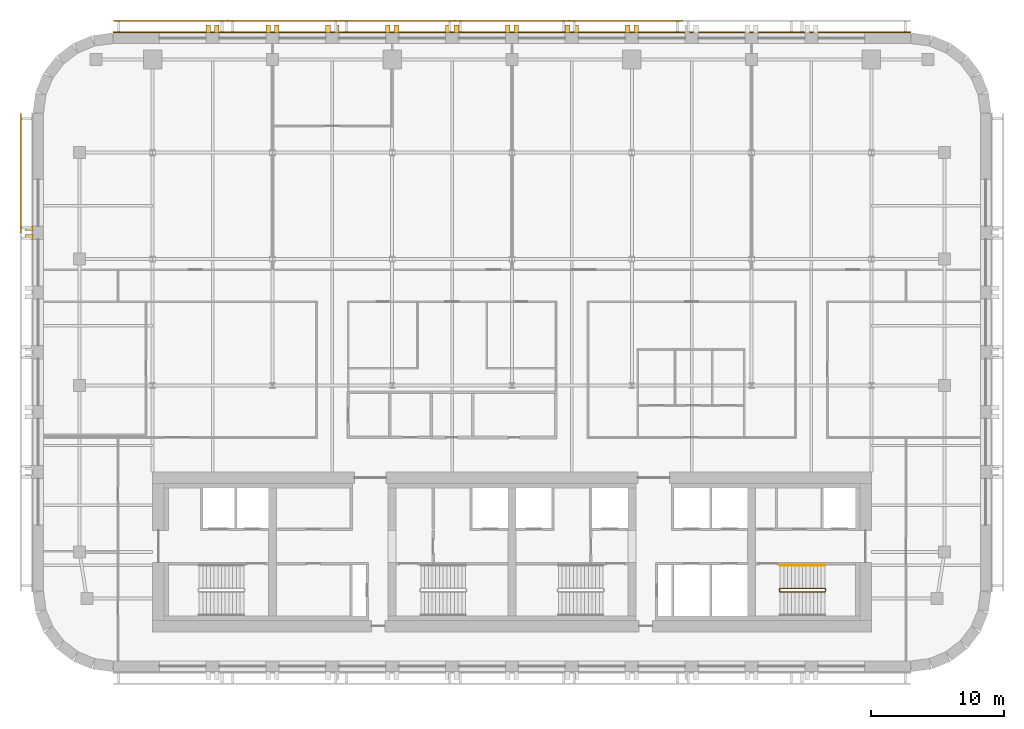
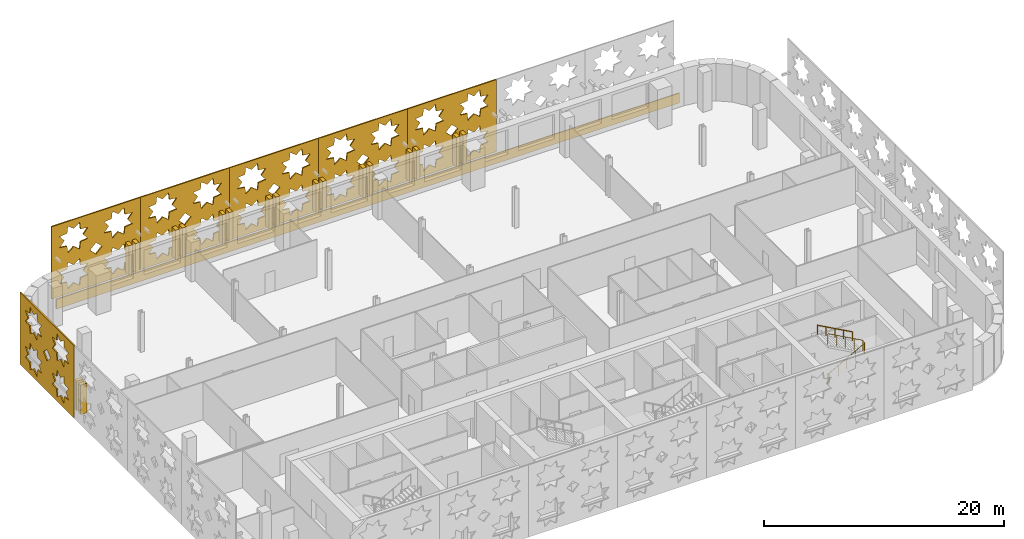
# One storey, part 11 of 12: 25 coverings, 2 railings.
"""IFC4 building model written with IfcOpenShell, lengths in metres."""

from ifc_helpers import new_model, si_unit, direction, frame, origin, origin_2d, place, context, subcontext, project, spatial, polyline, circle, outline, extrude, material, layer, layer_set, type_object, element, save


model = new_model("IFC4")

# Units and contexts
model_context = context("Model", 3, precision=1e-05, world=origin(), true_north=direction((0.0, 1.0)))
body_context = subcontext(model_context, "Body", "Model", "MODEL_VIEW")
ifc_project = project(units=[si_unit("LENGTHUNIT", "METRE"), si_unit("AREAUNIT", "SQUARE_METRE"), si_unit("VOLUMEUNIT", "CUBIC_METRE"), si_unit("PLANEANGLEUNIT", "RADIAN"), si_unit("MASSUNIT", "GRAM", prefix="KILO")], contexts=[model_context])

# Site, building, storey
site_placement = place(None, origin())
site = spatial("IfcSite", under=ifc_project, at=site_placement, CompositionType="ELEMENT")
building_placement = place(site_placement, origin())
building = spatial("IfcBuilding", under=site, at=building_placement, Name="Zellij Exchange Tower", CompositionType="ELEMENT")
storey_placement = place(building_placement, frame((0.0, 0.0, 204.5)))
storey = spatial("IfcBuildingStorey", under=building, at=storey_placement, Name="L47", CompositionType="ELEMENT", Elevation=204.5)

# Railings
ifc_material_1 = material(Name="Stainless steel", Category="steel")
railing_type_1 = type_object("IfcRailingType", Name="CORE-RG stair guard", PredefinedType="GUARDRAIL", material=ifc_material_1)
railing_1_placement = place(storey_placement, frame((20.10009765625, -10.949951171875, 0.0)))
element("IfcRailing", 1, at=railing_1_placement, inside=storey, type_object=railing_type_1, Name="ST4 stair guard L47", PredefinedType="GUARDRAIL", context=body_context, shape_type="SweptSolid", body=[
    extrude(circle(Radius=0.02392578125, at=origin_2d()), frame((0.0, 0.0, 1.076171875), z_axis=(0.0, 1.0, 0.0), x_axis=(-1.0, 0.0, 0.0)), (0.0, 0.0, 1.0), 0.14990234375),
    extrude(circle(Radius=0.02392578125, at=origin_2d()), frame((0.0, 0.14990234375, 1.076171875), z_axis=(0.193691321961, -0.777613689637, 0.598164376644), x_axis=(0.970351222016, 0.241699205484, 0.0)), (0.0, 0.0, 1.0), 0.257080078125),
    extrude(circle(Radius=0.02392578125, at=origin_2d()), frame((0.0498046875, -0.050048828125, 1.22998046875), z_axis=(0.876421534553, 0.0, 0.481544695509), x_axis=(0.0, 1.0, 0.0)), (0.0, 0.0, 1.0), 3.833984375),
    extrude(circle(Radius=0.02392578125, at=origin_2d()), frame((3.409912109375, -0.050048828125, 3.076171875), z_axis=(0.707106781187, 0.707106781187, 0.0), x_axis=(-0.707106781187, 0.707106781187, 0.0)), (0.0, 0.0, 1.0), 0.07080078125),
    extrude(circle(Radius=0.02392578125, at=origin_2d()), frame((3.4599609375, 0.0, 3.076171875), z_axis=(0.0, 1.0, 0.0), x_axis=(-1.0, 0.0, 0.0)), (0.0, 0.0, 1.0), 0.14990234375),
    extrude(circle(Radius=0.02392578125, at=origin_2d()), frame((3.4599609375, 0.14990234375, 3.076171875), z_axis=(-0.295599637079, 0.295599637079, 0.908428152975), x_axis=(-0.707106781187, -0.707106781187, 0.0)), (0.0, 0.0, 1.0), 0.16943359375),
    extrude(circle(Radius=0.02392578125, at=origin_2d()), frame((3.409912109375, 0.199951171875, 3.22998046875), z_axis=(-0.876421534553, 0.0, 0.481544695509), x_axis=(0.0, -1.0, 0.0)), (0.0, 0.0, 1.0), 3.833984375),
    extrude(circle(Radius=0.02099609375, at=origin_2d()), origin(), (0.0, 0.0, 1.0), 1.052001953125),
    extrude(circle(Radius=0.02099609375, at=origin_2d()), frame((0.0, 0.14990234375, 0.0)), (0.0, 0.0, 1.0), 1.052001953125),
    extrude(circle(Radius=0.02099609375, at=origin_2d()), frame((0.0498046875, -0.050048828125, 0.15380859375)), (0.0, 0.0, 1.0), 1.052001953125),
    extrude(circle(Radius=0.02099609375, at=origin_2d()), frame((0.889892578125, -0.050048828125, 0.615234375)), (0.0, 0.0, 1.0), 1.052001953125),
    extrude(circle(Radius=0.02099609375, at=origin_2d()), frame((1.72998046875, -0.050048828125, 1.076904296875)), (0.0, 0.0, 1.0), 1.052001953125),
    extrude(circle(Radius=0.02099609375, at=origin_2d()), frame((2.56982421875, -0.050048828125, 1.53857421875)), (0.0, 0.0, 1.0), 1.052001953125),
    extrude(circle(Radius=0.02099609375, at=origin_2d()), frame((3.409912109375, -0.050048828125, 2.0)), (0.0, 0.0, 1.0), 1.052001953125),
    extrude(circle(Radius=0.02099609375, at=origin_2d()), frame((3.4599609375, 0.0, 2.0)), (0.0, 0.0, 1.0), 1.052001953125),
    extrude(circle(Radius=0.02099609375, at=origin_2d()), frame((3.4599609375, 0.14990234375, 2.0)), (0.0, 0.0, 1.0), 1.052001953125),
    extrude(circle(Radius=0.02099609375, at=origin_2d()), frame((3.409912109375, 0.199951171875, 2.15380859375)), (0.0, 0.0, 1.0), 1.052001953125),
    extrude(circle(Radius=0.02099609375, at=origin_2d()), frame((2.56982421875, 0.199951171875, 2.615234375)), (0.0, 0.0, 1.0), 1.052001953125),
    extrude(circle(Radius=0.02099609375, at=origin_2d()), frame((1.72998046875, 0.199951171875, 3.076904296875)), (0.0, 0.0, 1.0), 1.052001953125),
    extrude(circle(Radius=0.02099609375, at=origin_2d()), frame((0.889892578125, 0.199951171875, 3.53857421875)), (0.0, 0.0, 1.0), 1.052001953125),
    extrude(circle(Radius=0.02099609375, at=origin_2d()), frame((0.0498046875, 0.199951171875, 4.0)), (0.0, 0.0, 1.0), 1.052001953125),
])
railing_type_2 = type_object("IfcRailingType", Name="CORE-RH stair handrail", PredefinedType="HANDRAIL", material=ifc_material_1)
railing_2_placement = place(storey_placement, frame((23.510009765625, -9.0, 2.15380859375)))
element("IfcRailing", 2, at=railing_2_placement, inside=storey, type_object=railing_type_2, Name="ST4 stair handrail L47", PredefinedType="HANDRAIL", context=body_context, shape_type="SweptSolid", body=[
    extrude(circle(Radius=0.02392578125, at=origin_2d()), frame((0.0, 0.0, 0.8759765625), z_axis=(-0.876421534553, 0.0, 0.481544695509), x_axis=(0.0, -1.0, 0.0)), (0.0, 0.0, 1.0), 3.833984375),
    extrude(circle(Radius=0.02099609375, at=origin_2d()), origin(), (0.0, 0.0, 1.0), 0.851806640625),
    extrude(circle(Radius=0.02099609375, at=origin_2d()), frame((-0.840087890625, 0.0, 0.46142578125)), (0.0, 0.0, 1.0), 0.851806640625),
    extrude(circle(Radius=0.02099609375, at=origin_2d()), frame((-1.68017578125, 0.0, 0.923095703125)), (0.0, 0.0, 1.0), 0.851806640625),
    extrude(circle(Radius=0.02099609375, at=origin_2d()), frame((-2.52001953125, 0.0, 1.384765625)), (0.0, 0.0, 1.0), 0.851806640625),
    extrude(circle(Radius=0.02099609375, at=origin_2d()), frame((-3.360107421875, 0.0, 1.84619140625)), (0.0, 0.0, 1.0), 0.851806640625),
])

# Coverings
ifc_material_2 = material(Name="Limestone cladding", Category="masonry")
covering_type_1 = type_object("IfcCoveringType", Name="ENV-CV3 Stone pier 350x600", PredefinedType="CLADDING", material=ifc_material_2)
covering_1_placement = place(storey_placement, frame((0.0, 0.0, 0.800048828125)))
element("IfcCovering", 3, at=covering_1_placement, inside=storey, type_object=covering_type_1, Name="Stone pier", PredefinedType="CLADDING", context=body_context, shape_type="SweptSolid", body=[
    extrude(outline(polyline([(9.5, 31.0), (9.14990234375, 31.0), (9.14990234375, 31.60009765625), (9.5, 31.60009765625), (9.5, 31.0)])), origin(), (0.0, 0.0, 1.0), 3.0),
])
covering_2_placement = place(storey_placement, frame((0.0, 0.0, 0.800048828125)))
element("IfcCovering", 4, at=covering_2_placement, inside=storey, type_object=covering_type_1, Name="Stone pier", PredefinedType="CLADDING", context=body_context, shape_type="SweptSolid", body=[
    extrude(outline(polyline([(8.85009765625, 31.0), (8.5, 31.0), (8.5, 31.60009765625), (8.85009765625, 31.60009765625), (8.85009765625, 31.0)])), origin(), (0.0, 0.0, 1.0), 3.0),
])
covering_3_placement = place(storey_placement, frame((0.0, 0.0, 0.800048828125)))
element("IfcCovering", 5, at=covering_3_placement, inside=storey, type_object=covering_type_1, Name="Stone pier", PredefinedType="CLADDING", context=body_context, shape_type="SweptSolid", body=[
    extrude(outline(polyline([(5.0, 31.0), (4.64990234375, 31.0), (4.64990234375, 31.60009765625), (5.0, 31.60009765625), (5.0, 31.0)])), origin(), (0.0, 0.0, 1.0), 3.0),
])
covering_4_placement = place(storey_placement, frame((0.0, 0.0, 0.800048828125)))
element("IfcCovering", 6, at=covering_4_placement, inside=storey, type_object=covering_type_1, Name="Stone pier", PredefinedType="CLADDING", context=body_context, shape_type="SweptSolid", body=[
    extrude(outline(polyline([(4.35009765625, 31.0), (4.0, 31.0), (4.0, 31.60009765625), (4.35009765625, 31.60009765625), (4.35009765625, 31.0)])), origin(), (0.0, 0.0, 1.0), 3.0),
])
covering_5_placement = place(storey_placement, frame((0.0, 0.0, 0.800048828125)))
element("IfcCovering", 7, at=covering_5_placement, inside=storey, type_object=covering_type_1, Name="Stone pier", PredefinedType="CLADDING", context=body_context, shape_type="SweptSolid", body=[
    extrude(outline(polyline([(0.5, 31.0), (0.14990234375, 31.0), (0.14990234375, 31.60009765625), (0.5, 31.60009765625), (0.5, 31.0)])), origin(), (0.0, 0.0, 1.0), 3.0),
])
covering_6_placement = place(storey_placement, frame((0.0, 0.0, 0.800048828125)))
element("IfcCovering", 8, at=covering_6_placement, inside=storey, type_object=covering_type_1, Name="Stone pier", PredefinedType="CLADDING", context=body_context, shape_type="SweptSolid", body=[
    extrude(outline(polyline([(-0.14990234375, 31.0), (-0.5, 31.0), (-0.5, 31.60009765625), (-0.14990234375, 31.60009765625), (-0.14990234375, 31.0)])), origin(), (0.0, 0.0, 1.0), 3.0),
])
covering_7_placement = place(storey_placement, frame((0.0, 0.0, 0.800048828125)))
element("IfcCovering", 9, at=covering_7_placement, inside=storey, type_object=covering_type_1, Name="Stone pier", PredefinedType="CLADDING", context=body_context, shape_type="SweptSolid", body=[
    extrude(outline(polyline([(-4.0, 31.0), (-4.35009765625, 31.0), (-4.35009765625, 31.60009765625), (-4.0, 31.60009765625), (-4.0, 31.0)])), origin(), (0.0, 0.0, 1.0), 3.0),
])
covering_8_placement = place(storey_placement, frame((0.0, 0.0, 0.800048828125)))
element("IfcCovering", 10, at=covering_8_placement, inside=storey, type_object=covering_type_1, Name="Stone pier", PredefinedType="CLADDING", context=body_context, shape_type="SweptSolid", body=[
    extrude(outline(polyline([(-4.64990234375, 31.0), (-5.0, 31.0), (-5.0, 31.60009765625), (-4.64990234375, 31.60009765625), (-4.64990234375, 31.0)])), origin(), (0.0, 0.0, 1.0), 3.0),
])
covering_9_placement = place(storey_placement, frame((0.0, 0.0, 0.800048828125)))
element("IfcCovering", 11, at=covering_9_placement, inside=storey, type_object=covering_type_1, Name="Stone pier", PredefinedType="CLADDING", context=body_context, shape_type="SweptSolid", body=[
    extrude(outline(polyline([(-8.5, 31.0), (-8.85009765625, 31.0), (-8.85009765625, 31.60009765625), (-8.5, 31.60009765625), (-8.5, 31.0)])), origin(), (0.0, 0.0, 1.0), 3.0),
])
covering_10_placement = place(storey_placement, frame((0.0, 0.0, 0.800048828125)))
element("IfcCovering", 12, at=covering_10_placement, inside=storey, type_object=covering_type_1, Name="Stone pier", PredefinedType="CLADDING", context=body_context, shape_type="SweptSolid", body=[
    extrude(outline(polyline([(-9.14990234375, 31.0), (-9.5, 31.0), (-9.5, 31.60009765625), (-9.14990234375, 31.60009765625), (-9.14990234375, 31.0)])), origin(), (0.0, 0.0, 1.0), 3.0),
])
covering_11_placement = place(storey_placement, frame((0.0, 0.0, 0.800048828125)))
element("IfcCovering", 13, at=covering_11_placement, inside=storey, type_object=covering_type_1, Name="Stone pier", PredefinedType="CLADDING", context=body_context, shape_type="SweptSolid", body=[
    extrude(outline(polyline([(-13.0, 31.0), (-13.35009765625, 31.0), (-13.35009765625, 31.60009765625), (-13.0, 31.60009765625), (-13.0, 31.0)])), origin(), (0.0, 0.0, 1.0), 3.0),
])
covering_12_placement = place(storey_placement, frame((0.0, 0.0, 0.800048828125)))
element("IfcCovering", 14, at=covering_12_placement, inside=storey, type_object=covering_type_1, Name="Stone pier", PredefinedType="CLADDING", context=body_context, shape_type="SweptSolid", body=[
    extrude(outline(polyline([(-13.64990234375, 31.0), (-14.0, 31.0), (-14.0, 31.60009765625), (-13.64990234375, 31.60009765625), (-13.64990234375, 31.0)])), origin(), (0.0, 0.0, 1.0), 3.0),
])
covering_13_placement = place(storey_placement, frame((0.0, 0.0, 0.800048828125)))
element("IfcCovering", 15, at=covering_13_placement, inside=storey, type_object=covering_type_1, Name="Stone pier", PredefinedType="CLADDING", context=body_context, shape_type="SweptSolid", body=[
    extrude(outline(polyline([(-17.5, 31.0), (-17.85009765625, 31.0), (-17.85009765625, 31.60009765625), (-17.5, 31.60009765625), (-17.5, 31.0)])), origin(), (0.0, 0.0, 1.0), 3.0),
])
covering_14_placement = place(storey_placement, frame((0.0, 0.0, 0.800048828125)))
element("IfcCovering", 16, at=covering_14_placement, inside=storey, type_object=covering_type_1, Name="Stone pier", PredefinedType="CLADDING", context=body_context, shape_type="SweptSolid", body=[
    extrude(outline(polyline([(-18.14990234375, 31.0), (-18.5, 31.0), (-18.5, 31.60009765625), (-18.14990234375, 31.60009765625), (-18.14990234375, 31.0)])), origin(), (0.0, 0.0, 1.0), 3.0),
])
covering_15_placement = place(storey_placement, frame((0.0, 0.0, 0.800048828125)))
element("IfcCovering", 17, at=covering_15_placement, inside=storey, type_object=covering_type_1, Name="Stone pier", PredefinedType="CLADDING", context=body_context, shape_type="SweptSolid", body=[
    extrude(outline(polyline([(-22.0, 31.0), (-22.35009765625, 31.0), (-22.35009765625, 31.60009765625), (-22.0, 31.60009765625), (-22.0, 31.0)])), origin(), (0.0, 0.0, 1.0), 3.0),
])
covering_16_placement = place(storey_placement, frame((0.0, 0.0, 0.800048828125)))
element("IfcCovering", 18, at=covering_16_placement, inside=storey, type_object=covering_type_1, Name="Stone pier", PredefinedType="CLADDING", context=body_context, shape_type="SweptSolid", body=[
    extrude(outline(polyline([(-22.64990234375, 31.0), (-23.0, 31.0), (-23.0, 31.60009765625), (-22.64990234375, 31.60009765625), (-22.64990234375, 31.0)])), origin(), (0.0, 0.0, 1.0), 3.0),
])
covering_17_placement = place(storey_placement, frame((0.0, 0.0, 0.800048828125)))
element("IfcCovering", 19, at=covering_17_placement, inside=storey, type_object=covering_type_1, Name="Stone pier", PredefinedType="CLADDING", context=body_context, shape_type="SweptSolid", body=[
    extrude(outline(polyline([(-36.0, 16.48681640625), (-36.0, 16.136962890625), (-36.60009765625, 16.136962890625), (-36.60009765625, 16.48681640625), (-36.0, 16.48681640625)])), origin(), (0.0, 0.0, 1.0), 3.0),
])
covering_18_placement = place(storey_placement, frame((0.0, 0.0, 0.800048828125)))
element("IfcCovering", 20, at=covering_18_placement, inside=storey, type_object=covering_type_1, Name="Stone pier", PredefinedType="CLADDING", context=body_context, shape_type="SweptSolid", body=[
    extrude(outline(polyline([(-36.0, 15.8369140625), (-36.0, 15.48681640625), (-36.60009765625, 15.48681640625), (-36.60009765625, 15.8369140625), (-36.0, 15.8369140625)])), origin(), (0.0, 0.0, 1.0), 3.0),
])
ifc_layer_1 = layer(ifc_material_2, 0.10009765625)
ifc_layer_set_1 = layer_set([ifc_layer_1], Name="Limestone cladding")
covering_type_2 = type_object("IfcCoveringType", Name="ENV-CV9 Stone spandrel band 100", PredefinedType="CLADDING", material=ifc_layer_set_1)
covering_19_placement = place(storey_placement, frame((0.0, 0.0, -0.199951171875)))
element("IfcCovering", 21, at=covering_19_placement, inside=storey, type_object=covering_type_2, Name="Stone spandrel band", PredefinedType="CLADDING", context=body_context, shape_type="SweptSolid", body=[
    extrude(outline(polyline([(29.973876953125, 31.0), (-29.973876953125, 31.0), (-29.980224609375, 31.10009765625), (29.980224609375, 31.10009765625), (29.973876953125, 31.0)])), origin(), (0.0, 0.0, 1.0), 1.0),
])
ifc_material_3 = material(Name="Limestone screen", Category="masonry")
ifc_layer_2 = layer(ifc_material_3, 0.1201171875)
ifc_layer_set_2 = layer_set([ifc_layer_2], Name="Limestone screen")
covering_type_3 = type_object("IfcCoveringType", Name="ENV-SC1 Pierced stone screen 120", PredefinedType="USERDEFINED", material=ifc_layer_set_2)
covering_20_placement = place(storey_placement, frame((-36.909912109375, 24.947509765625, 0.300048828125), z_axis=(0.0, 0.0, 1.0), x_axis=(0.0, -1.0, 0.0)))
element("IfcCovering", 22, at=covering_20_placement, inside=storey, type_object=covering_type_3, Name="Pierced stone screen", ObjectType="SCREEN", PredefinedType="USERDEFINED", context=body_context, shape_type="SweptSolid", body=[
    extrude(outline(polyline([(0.0, 0.0), (8.973876953125, 0.0), (8.973876953125, 7.35009765625), (0.0, 7.35009765625), (0.0, 0.0)]), holes=[polyline([(3.6015625, 2.39990234375), (2.887939453125, 2.48193359375), (2.805908203125, 3.195556640625), (2.243408203125, 2.748779296875), (1.680908203125, 3.195556640625), (1.59912109375, 2.48193359375), (0.88525390625, 2.39990234375), (1.33203125, 1.83740234375), (0.88525390625, 1.27490234375), (1.59912109375, 1.193115234375), (1.680908203125, 0.4794921875), (2.243408203125, 0.926025390625), (2.805908203125, 0.4794921875), (2.887939453125, 1.193115234375), (3.6015625, 1.27490234375), (3.15478515625, 1.83740234375), (3.6015625, 2.39990234375)]), polyline([(3.6015625, 6.074951171875), (2.887939453125, 6.156982421875), (2.805908203125, 6.87060546875), (2.243408203125, 6.423828125), (1.680908203125, 6.87060546875), (1.59912109375, 6.156982421875), (0.88525390625, 6.074951171875), (1.33203125, 5.512451171875), (0.88525390625, 4.949951171875), (1.59912109375, 4.867919921875), (1.680908203125, 4.154296875), (2.243408203125, 4.60107421875), (2.805908203125, 4.154296875), (2.887939453125, 4.867919921875), (3.6015625, 4.949951171875), (3.15478515625, 5.512451171875), (3.6015625, 6.074951171875)]), polyline([(8.08837890625, 2.39990234375), (7.374755859375, 2.48193359375), (7.29296875, 3.195556640625), (6.730224609375, 2.748779296875), (6.167724609375, 3.195556640625), (6.0859375, 2.48193359375), (5.372314453125, 2.39990234375), (5.81884765625, 1.83740234375), (5.372314453125, 1.27490234375), (6.0859375, 1.193115234375), (6.167724609375, 0.4794921875), (6.730224609375, 0.926025390625), (7.29296875, 0.4794921875), (7.374755859375, 1.193115234375), (8.08837890625, 1.27490234375), (7.6416015625, 1.83740234375), (8.08837890625, 2.39990234375)]), polyline([(8.08837890625, 6.074951171875), (7.374755859375, 6.156982421875), (7.29296875, 6.87060546875), (6.730224609375, 6.423828125), (6.167724609375, 6.87060546875), (6.0859375, 6.156982421875), (5.372314453125, 6.074951171875), (5.81884765625, 5.512451171875), (5.372314453125, 4.949951171875), (6.0859375, 4.867919921875), (6.167724609375, 4.154296875), (6.730224609375, 4.60107421875), (7.29296875, 4.154296875), (7.374755859375, 4.867919921875), (8.08837890625, 4.949951171875), (7.6416015625, 5.512451171875), (8.08837890625, 6.074951171875)]), polyline([(5.074951171875, 3.675048828125), (4.48681640625, 4.262939453125), (3.89892578125, 3.675048828125), (4.48681640625, 3.0869140625), (5.074951171875, 3.675048828125)])]), frame((0.0, 0.06005859375, 0.0), z_axis=(0.0, -1.0, 0.0), x_axis=(1.0, 0.0, 0.0)), (0.0, 0.0, 1.0), 0.1201171875),
])
covering_21_placement = place(storey_placement, frame((12.834716796875, 31.909912109375, 0.300048828125), z_axis=(0.0, 0.0, 1.0), x_axis=(-1.0, 0.0, 0.0)))
element("IfcCovering", 23, at=covering_21_placement, inside=storey, type_object=covering_type_3, Name="Pierced stone screen", ObjectType="SCREEN", PredefinedType="USERDEFINED", context=body_context, shape_type="SweptSolid", body=[
    extrude(outline(polyline([(0.0, 0.0), (8.556396484375, 0.0), (8.556396484375, 7.35009765625), (0.0, 7.35009765625), (0.0, 0.0)]), holes=[polyline([(3.497314453125, 2.39990234375), (2.78369140625, 2.48193359375), (2.70166015625, 3.195556640625), (2.13916015625, 2.748779296875), (1.57666015625, 3.195556640625), (1.49462890625, 2.48193359375), (0.781005859375, 2.39990234375), (1.227783203125, 1.83740234375), (0.781005859375, 1.27490234375), (1.49462890625, 1.193115234375), (1.57666015625, 0.4794921875), (2.13916015625, 0.926025390625), (2.70166015625, 0.4794921875), (2.78369140625, 1.193115234375), (3.497314453125, 1.27490234375), (3.050537109375, 1.83740234375), (3.497314453125, 2.39990234375)]), polyline([(3.497314453125, 6.074951171875), (2.78369140625, 6.156982421875), (2.70166015625, 6.87060546875), (2.13916015625, 6.423828125), (1.57666015625, 6.87060546875), (1.49462890625, 6.156982421875), (0.781005859375, 6.074951171875), (1.227783203125, 5.512451171875), (0.781005859375, 4.949951171875), (1.49462890625, 4.867919921875), (1.57666015625, 4.154296875), (2.13916015625, 4.60107421875), (2.70166015625, 4.154296875), (2.78369140625, 4.867919921875), (3.497314453125, 4.949951171875), (3.050537109375, 5.512451171875), (3.497314453125, 6.074951171875)]), polyline([(7.775390625, 2.39990234375), (7.061767578125, 2.48193359375), (6.97998046875, 3.195556640625), (6.417236328125, 2.748779296875), (5.854736328125, 3.195556640625), (5.77294921875, 2.48193359375), (5.05908203125, 2.39990234375), (5.505859375, 1.83740234375), (5.05908203125, 1.27490234375), (5.77294921875, 1.193115234375), (5.854736328125, 0.4794921875), (6.417236328125, 0.926025390625), (6.97998046875, 0.4794921875), (7.061767578125, 1.193115234375), (7.775390625, 1.27490234375), (7.32861328125, 1.83740234375), (7.775390625, 2.39990234375)]), polyline([(7.775390625, 6.074951171875), (7.061767578125, 6.156982421875), (6.97998046875, 6.87060546875), (6.417236328125, 6.423828125), (5.854736328125, 6.87060546875), (5.77294921875, 6.156982421875), (5.05908203125, 6.074951171875), (5.505859375, 5.512451171875), (5.05908203125, 4.949951171875), (5.77294921875, 4.867919921875), (5.854736328125, 4.154296875), (6.417236328125, 4.60107421875), (6.97998046875, 4.154296875), (7.061767578125, 4.867919921875), (7.775390625, 4.949951171875), (7.32861328125, 5.512451171875), (7.775390625, 6.074951171875)]), polyline([(4.8662109375, 3.675048828125), (4.2783203125, 4.262939453125), (3.690185546875, 3.675048828125), (4.2783203125, 3.0869140625), (4.8662109375, 3.675048828125)])]), frame((0.0, 0.06005859375, 0.0), z_axis=(0.0, -1.0, 0.0), x_axis=(1.0, 0.0, 0.0)), (0.0, 0.0, 1.0), 0.1201171875),
])
covering_22_placement = place(storey_placement, frame((4.2783203125, 31.909912109375, 0.300048828125), z_axis=(0.0, 0.0, 1.0), x_axis=(-1.0, 0.0, 0.0)))
element("IfcCovering", 24, at=covering_22_placement, inside=storey, type_object=covering_type_3, Name="Pierced stone screen", ObjectType="SCREEN", PredefinedType="USERDEFINED", context=body_context, shape_type="SweptSolid", body=[
    extrude(outline(polyline([(0.0, 0.0), (8.556396484375, 0.0), (8.556396484375, 7.35009765625), (0.0, 7.35009765625), (0.0, 0.0)]), holes=[polyline([(3.497314453125, 2.39990234375), (2.78369140625, 2.48193359375), (2.70166015625, 3.195556640625), (2.13916015625, 2.748779296875), (1.57666015625, 3.195556640625), (1.49462890625, 2.48193359375), (0.781005859375, 2.39990234375), (1.227783203125, 1.83740234375), (0.781005859375, 1.27490234375), (1.49462890625, 1.193115234375), (1.57666015625, 0.4794921875), (2.13916015625, 0.926025390625), (2.70166015625, 0.4794921875), (2.78369140625, 1.193115234375), (3.497314453125, 1.27490234375), (3.050537109375, 1.83740234375), (3.497314453125, 2.39990234375)]), polyline([(3.497314453125, 6.074951171875), (2.78369140625, 6.156982421875), (2.70166015625, 6.87060546875), (2.13916015625, 6.423828125), (1.57666015625, 6.87060546875), (1.49462890625, 6.156982421875), (0.781005859375, 6.074951171875), (1.227783203125, 5.512451171875), (0.781005859375, 4.949951171875), (1.49462890625, 4.867919921875), (1.57666015625, 4.154296875), (2.13916015625, 4.60107421875), (2.70166015625, 4.154296875), (2.78369140625, 4.867919921875), (3.497314453125, 4.949951171875), (3.050537109375, 5.512451171875), (3.497314453125, 6.074951171875)]), polyline([(7.775390625, 2.39990234375), (7.061767578125, 2.48193359375), (6.97998046875, 3.195556640625), (6.417236328125, 2.748779296875), (5.854736328125, 3.195556640625), (5.77294921875, 2.48193359375), (5.05908203125, 2.39990234375), (5.505859375, 1.83740234375), (5.05908203125, 1.27490234375), (5.77294921875, 1.193115234375), (5.854736328125, 0.4794921875), (6.417236328125, 0.926025390625), (6.97998046875, 0.4794921875), (7.061767578125, 1.193115234375), (7.775390625, 1.27490234375), (7.32861328125, 1.83740234375), (7.775390625, 2.39990234375)]), polyline([(7.775390625, 6.074951171875), (7.061767578125, 6.156982421875), (6.97998046875, 6.87060546875), (6.417236328125, 6.423828125), (5.854736328125, 6.87060546875), (5.77294921875, 6.156982421875), (5.05908203125, 6.074951171875), (5.505859375, 5.512451171875), (5.05908203125, 4.949951171875), (5.77294921875, 4.867919921875), (5.854736328125, 4.154296875), (6.417236328125, 4.60107421875), (6.97998046875, 4.154296875), (7.061767578125, 4.867919921875), (7.775390625, 4.949951171875), (7.32861328125, 5.512451171875), (7.775390625, 6.074951171875)]), polyline([(4.8662109375, 3.675048828125), (4.2783203125, 4.262939453125), (3.690185546875, 3.675048828125), (4.2783203125, 3.0869140625), (4.8662109375, 3.675048828125)])]), frame((0.0, 0.06005859375, 0.0), z_axis=(0.0, -1.0, 0.0), x_axis=(1.0, 0.0, 0.0)), (0.0, 0.0, 1.0), 0.1201171875),
])
covering_23_placement = place(storey_placement, frame((-4.2783203125, 31.909912109375, 0.300048828125), z_axis=(0.0, 0.0, 1.0), x_axis=(-1.0, 0.0, 0.0)))
element("IfcCovering", 25, at=covering_23_placement, inside=storey, type_object=covering_type_3, Name="Pierced stone screen", ObjectType="SCREEN", PredefinedType="USERDEFINED", context=body_context, shape_type="SweptSolid", body=[
    extrude(outline(polyline([(0.0, 0.0), (8.556396484375, 0.0), (8.556396484375, 7.35009765625), (0.0, 7.35009765625), (0.0, 0.0)]), holes=[polyline([(3.497314453125, 2.39990234375), (2.78369140625, 2.48193359375), (2.70166015625, 3.195556640625), (2.13916015625, 2.748779296875), (1.57666015625, 3.195556640625), (1.49462890625, 2.48193359375), (0.781005859375, 2.39990234375), (1.227783203125, 1.83740234375), (0.781005859375, 1.27490234375), (1.49462890625, 1.193115234375), (1.57666015625, 0.4794921875), (2.13916015625, 0.926025390625), (2.70166015625, 0.4794921875), (2.78369140625, 1.193115234375), (3.497314453125, 1.27490234375), (3.050537109375, 1.83740234375), (3.497314453125, 2.39990234375)]), polyline([(3.497314453125, 6.074951171875), (2.78369140625, 6.156982421875), (2.70166015625, 6.87060546875), (2.13916015625, 6.423828125), (1.57666015625, 6.87060546875), (1.49462890625, 6.156982421875), (0.781005859375, 6.074951171875), (1.227783203125, 5.512451171875), (0.781005859375, 4.949951171875), (1.49462890625, 4.867919921875), (1.57666015625, 4.154296875), (2.13916015625, 4.60107421875), (2.70166015625, 4.154296875), (2.78369140625, 4.867919921875), (3.497314453125, 4.949951171875), (3.050537109375, 5.512451171875), (3.497314453125, 6.074951171875)]), polyline([(7.775390625, 2.39990234375), (7.061767578125, 2.48193359375), (6.97998046875, 3.195556640625), (6.417236328125, 2.748779296875), (5.854736328125, 3.195556640625), (5.77294921875, 2.48193359375), (5.05908203125, 2.39990234375), (5.505859375, 1.83740234375), (5.05908203125, 1.27490234375), (5.77294921875, 1.193115234375), (5.854736328125, 0.4794921875), (6.417236328125, 0.926025390625), (6.97998046875, 0.4794921875), (7.061767578125, 1.193115234375), (7.775390625, 1.27490234375), (7.32861328125, 1.83740234375), (7.775390625, 2.39990234375)]), polyline([(7.775390625, 6.074951171875), (7.061767578125, 6.156982421875), (6.97998046875, 6.87060546875), (6.417236328125, 6.423828125), (5.854736328125, 6.87060546875), (5.77294921875, 6.156982421875), (5.05908203125, 6.074951171875), (5.505859375, 5.512451171875), (5.05908203125, 4.949951171875), (5.77294921875, 4.867919921875), (5.854736328125, 4.154296875), (6.417236328125, 4.60107421875), (6.97998046875, 4.154296875), (7.061767578125, 4.867919921875), (7.775390625, 4.949951171875), (7.32861328125, 5.512451171875), (7.775390625, 6.074951171875)]), polyline([(4.8662109375, 3.675048828125), (4.2783203125, 4.262939453125), (3.690185546875, 3.675048828125), (4.2783203125, 3.0869140625), (4.8662109375, 3.675048828125)])]), frame((0.0, 0.06005859375, 0.0), z_axis=(0.0, -1.0, 0.0), x_axis=(1.0, 0.0, 0.0)), (0.0, 0.0, 1.0), 0.1201171875),
])
covering_24_placement = place(storey_placement, frame((-12.834716796875, 31.909912109375, 0.300048828125), z_axis=(0.0, 0.0, 1.0), x_axis=(-1.0, 0.0, 0.0)))
element("IfcCovering", 26, at=covering_24_placement, inside=storey, type_object=covering_type_3, Name="Pierced stone screen", ObjectType="SCREEN", PredefinedType="USERDEFINED", context=body_context, shape_type="SweptSolid", body=[
    extrude(outline(polyline([(0.0, 0.0), (8.556396484375, 0.0), (8.556396484375, 7.35009765625), (0.0, 7.35009765625), (0.0, 0.0)]), holes=[polyline([(3.497314453125, 2.39990234375), (2.78369140625, 2.48193359375), (2.70166015625, 3.195556640625), (2.13916015625, 2.748779296875), (1.57666015625, 3.195556640625), (1.49462890625, 2.48193359375), (0.781005859375, 2.39990234375), (1.227783203125, 1.83740234375), (0.781005859375, 1.27490234375), (1.49462890625, 1.193115234375), (1.57666015625, 0.4794921875), (2.13916015625, 0.926025390625), (2.70166015625, 0.4794921875), (2.78369140625, 1.193115234375), (3.497314453125, 1.27490234375), (3.050537109375, 1.83740234375), (3.497314453125, 2.39990234375)]), polyline([(3.497314453125, 6.074951171875), (2.78369140625, 6.156982421875), (2.70166015625, 6.87060546875), (2.13916015625, 6.423828125), (1.57666015625, 6.87060546875), (1.49462890625, 6.156982421875), (0.781005859375, 6.074951171875), (1.227783203125, 5.512451171875), (0.781005859375, 4.949951171875), (1.49462890625, 4.867919921875), (1.57666015625, 4.154296875), (2.13916015625, 4.60107421875), (2.70166015625, 4.154296875), (2.78369140625, 4.867919921875), (3.497314453125, 4.949951171875), (3.050537109375, 5.512451171875), (3.497314453125, 6.074951171875)]), polyline([(7.775390625, 2.39990234375), (7.061767578125, 2.48193359375), (6.97998046875, 3.195556640625), (6.417236328125, 2.748779296875), (5.854736328125, 3.195556640625), (5.77294921875, 2.48193359375), (5.05908203125, 2.39990234375), (5.505859375, 1.83740234375), (5.05908203125, 1.27490234375), (5.77294921875, 1.193115234375), (5.854736328125, 0.4794921875), (6.417236328125, 0.926025390625), (6.97998046875, 0.4794921875), (7.061767578125, 1.193115234375), (7.775390625, 1.27490234375), (7.32861328125, 1.83740234375), (7.775390625, 2.39990234375)]), polyline([(7.775390625, 6.074951171875), (7.061767578125, 6.156982421875), (6.97998046875, 6.87060546875), (6.417236328125, 6.423828125), (5.854736328125, 6.87060546875), (5.77294921875, 6.156982421875), (5.05908203125, 6.074951171875), (5.505859375, 5.512451171875), (5.05908203125, 4.949951171875), (5.77294921875, 4.867919921875), (5.854736328125, 4.154296875), (6.417236328125, 4.60107421875), (6.97998046875, 4.154296875), (7.061767578125, 4.867919921875), (7.775390625, 4.949951171875), (7.32861328125, 5.512451171875), (7.775390625, 6.074951171875)]), polyline([(4.8662109375, 3.675048828125), (4.2783203125, 4.262939453125), (3.690185546875, 3.675048828125), (4.2783203125, 3.0869140625), (4.8662109375, 3.675048828125)])]), frame((0.0, 0.06005859375, 0.0), z_axis=(0.0, -1.0, 0.0), x_axis=(1.0, 0.0, 0.0)), (0.0, 0.0, 1.0), 0.1201171875),
])
covering_25_placement = place(storey_placement, frame((-21.39111328125, 31.909912109375, 0.300048828125), z_axis=(0.0, 0.0, 1.0), x_axis=(-1.0, 0.0, 0.0)))
element("IfcCovering", 27, at=covering_25_placement, inside=storey, type_object=covering_type_3, Name="Pierced stone screen", ObjectType="SCREEN", PredefinedType="USERDEFINED", context=body_context, shape_type="SweptSolid", body=[
    extrude(outline(polyline([(0.0, 0.0), (8.556396484375, 0.0), (8.556396484375, 7.35009765625), (0.0, 7.35009765625), (0.0, 0.0)]), holes=[polyline([(3.497314453125, 2.39990234375), (2.78369140625, 2.48193359375), (2.70166015625, 3.195556640625), (2.13916015625, 2.748779296875), (1.57666015625, 3.195556640625), (1.49462890625, 2.48193359375), (0.781005859375, 2.39990234375), (1.227783203125, 1.83740234375), (0.781005859375, 1.27490234375), (1.49462890625, 1.193115234375), (1.57666015625, 0.4794921875), (2.13916015625, 0.926025390625), (2.70166015625, 0.4794921875), (2.78369140625, 1.193115234375), (3.497314453125, 1.27490234375), (3.050537109375, 1.83740234375), (3.497314453125, 2.39990234375)]), polyline([(3.497314453125, 6.074951171875), (2.78369140625, 6.156982421875), (2.70166015625, 6.87060546875), (2.13916015625, 6.423828125), (1.57666015625, 6.87060546875), (1.49462890625, 6.156982421875), (0.781005859375, 6.074951171875), (1.227783203125, 5.512451171875), (0.781005859375, 4.949951171875), (1.49462890625, 4.867919921875), (1.57666015625, 4.154296875), (2.13916015625, 4.60107421875), (2.70166015625, 4.154296875), (2.78369140625, 4.867919921875), (3.497314453125, 4.949951171875), (3.050537109375, 5.512451171875), (3.497314453125, 6.074951171875)]), polyline([(7.775390625, 2.39990234375), (7.061767578125, 2.48193359375), (6.97998046875, 3.195556640625), (6.417236328125, 2.748779296875), (5.854736328125, 3.195556640625), (5.77294921875, 2.48193359375), (5.05908203125, 2.39990234375), (5.505859375, 1.83740234375), (5.05908203125, 1.27490234375), (5.77294921875, 1.193115234375), (5.854736328125, 0.4794921875), (6.417236328125, 0.926025390625), (6.97998046875, 0.4794921875), (7.061767578125, 1.193115234375), (7.775390625, 1.27490234375), (7.32861328125, 1.83740234375), (7.775390625, 2.39990234375)]), polyline([(7.775390625, 6.074951171875), (7.061767578125, 6.156982421875), (6.97998046875, 6.87060546875), (6.417236328125, 6.423828125), (5.854736328125, 6.87060546875), (5.77294921875, 6.156982421875), (5.05908203125, 6.074951171875), (5.505859375, 5.512451171875), (5.05908203125, 4.949951171875), (5.77294921875, 4.867919921875), (5.854736328125, 4.154296875), (6.417236328125, 4.60107421875), (6.97998046875, 4.154296875), (7.061767578125, 4.867919921875), (7.775390625, 4.949951171875), (7.32861328125, 5.512451171875), (7.775390625, 6.074951171875)]), polyline([(4.8662109375, 3.675048828125), (4.2783203125, 4.262939453125), (3.690185546875, 3.675048828125), (4.2783203125, 3.0869140625), (4.8662109375, 3.675048828125)])]), frame((0.0, 0.06005859375, 0.0), z_axis=(0.0, -1.0, 0.0), x_axis=(1.0, 0.0, 0.0)), (0.0, 0.0, 1.0), 0.1201171875),
])

save(model, "model.ifc")
